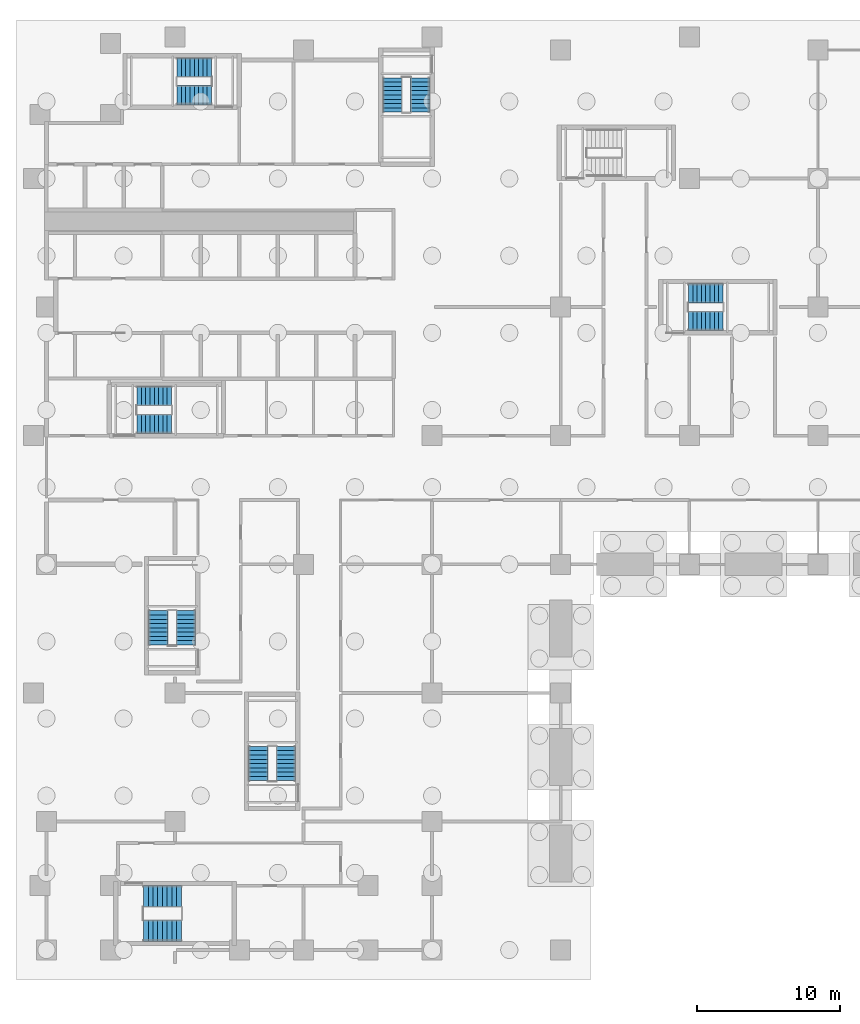
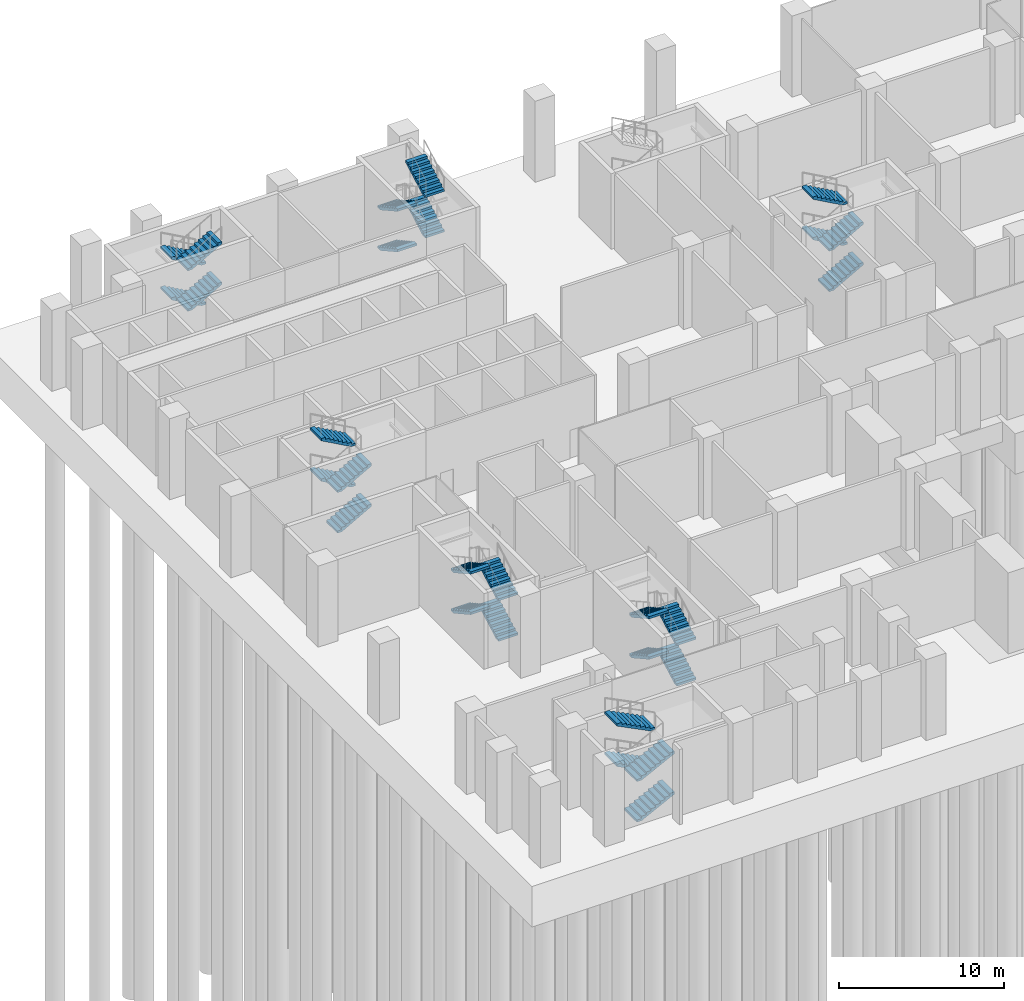
# One storey, part 8 of 12: 28 stair flights, 7 elements without a shape of their own.
"""IFC4 building model written with IfcOpenShell, lengths in metres."""

from ifc_helpers import new_model, si_unit, direction, frame, origin, place, context, subcontext, project, spatial, polyline, outline, extrude, material, type_object, element, aggregate, save


model = new_model("IFC4")

# Units and contexts
model_context = context("Model", 3, precision=1e-05, world=origin(), true_north=direction((0.0, 1.0)))
body_context = subcontext(model_context, "Body", "Model", "MODEL_VIEW")
ifc_project = project(units=[si_unit("LENGTHUNIT", "METRE"), si_unit("AREAUNIT", "SQUARE_METRE"), si_unit("VOLUMEUNIT", "CUBIC_METRE"), si_unit("PLANEANGLEUNIT", "RADIAN"), si_unit("MASSUNIT", "GRAM", prefix="KILO")], contexts=[model_context])

# Site, building, storey
site_placement = place(None, origin())
site = spatial("IfcSite", under=ifc_project, at=site_placement, CompositionType="ELEMENT")
building_placement = place(site_placement, origin())
building = spatial("IfcBuilding", under=site, at=building_placement, Name="Brondeck Convention Tower", CompositionType="ELEMENT")
storey_placement = place(building_placement, frame((0.0, 0.0, -6.0)))
storey = spatial("IfcBuildingStorey", under=building, at=storey_placement, Name="B1", CompositionType="ELEMENT", Elevation=-6.0)

# Stair, stair flights
ifc_material = material(Name="Precast concrete C50/60", Category="concrete")
stair_type_1 = type_object("IfcStairType", Name="Core stair 36 risers 166.67 mm riser 300 mm going 1350 wide", PredefinedType="HALF_TURN_STAIR", material=ifc_material)
stair_1_placement = place(storey_placement, origin())
stair_1 = element("IfcStair", 1, at=stair_1_placement, inside=storey, type_object=stair_type_1, Name="ST-1 B1 stair", PredefinedType="HALF_TURN_STAIR")
stair_flight_type_1 = type_object("IfcStairFlightType", Name="Core stair flight 36 risers 166.67 mm riser 300 mm going 1350 wide", PredefinedType="STRAIGHT", material=ifc_material)
stair_flight_1_placement = place(storey_placement, frame((6.35009765625, 36.824951171875, 0.0), z_axis=(0.0, 0.0, 1.0), x_axis=(1.0, 0.0, 0.0)))
stair_flight_1 = element("IfcStairFlight", 2, at=stair_flight_1_placement, type_object=stair_flight_type_1, Name="ST-1 flight 1", NumberOfRisers=9, NumberOfTreads=8, PredefinedType="STRAIGHT", RiserHeight=0.166666667, TreadLength=0.3, context=body_context, shape_type="SweptSolid", body=[
    extrude(outline(polyline([(0.0, 0.0), (0.0, 0.166748046875), (0.300048828125, 0.166748046875), (0.300048828125, 0.333251953125), (0.60009765625, 0.333251953125), (0.60009765625, 0.5), (0.89990234375, 0.5), (0.89990234375, 0.666748046875), (1.199951171875, 0.666748046875), (1.199951171875, 0.833251953125), (1.5, 0.833251953125), (1.5, 1.0), (1.800048828125, 1.0), (1.800048828125, 1.166748046875), (2.10009765625, 1.166748046875), (2.10009765625, 1.333251953125), (2.39990234375, 1.333251953125), (2.39990234375, 1.5), (2.39990234375, 1.161865234375), (0.30859375, 0.0), (0.0, 0.0)])), frame((0.0, 0.675048828125, 0.0), z_axis=(0.0, -1.0, 0.0), x_axis=(1.0, 0.0, 0.0)), (0.0, 0.0, 1.0), 1.35009765625),
])
stair_flight_2_placement = place(storey_placement, frame((8.75, 38.77490234375, 1.5), z_axis=(0.0, 0.0, 1.0), x_axis=(-1.0, 0.0, 0.0)))
stair_flight_2 = element("IfcStairFlight", 3, at=stair_flight_2_placement, type_object=stair_flight_type_1, Name="ST-1 flight 2", NumberOfRisers=9, NumberOfTreads=8, PredefinedType="STRAIGHT", RiserHeight=0.166666667, TreadLength=0.3, context=body_context, shape_type="SweptSolid", body=[
    extrude(outline(polyline([(0.0, 0.0), (0.0, 0.166748046875), (0.300048828125, 0.166748046875), (0.300048828125, 0.333251953125), (0.60009765625, 0.333251953125), (0.60009765625, 0.5), (0.89990234375, 0.5), (0.89990234375, 0.666748046875), (1.199951171875, 0.666748046875), (1.199951171875, 0.833251953125), (1.5, 0.833251953125), (1.5, 1.0), (1.800048828125, 1.0), (1.800048828125, 1.166748046875), (2.10009765625, 1.166748046875), (2.10009765625, 1.333251953125), (2.39990234375, 1.333251953125), (2.39990234375, 1.5), (2.39990234375, 1.161865234375), (0.30859375, 0.0), (0.0, 0.0)])), frame((0.0, 0.675048828125, 0.0), z_axis=(0.0, -1.0, 0.0), x_axis=(1.0, 0.0, 0.0)), (0.0, 0.0, 1.0), 1.35009765625),
])
stair_flight_3_placement = place(storey_placement, frame((6.35009765625, 36.824951171875, 3.0), z_axis=(0.0, 0.0, 1.0), x_axis=(1.0, 0.0, 0.0)))
stair_flight_3 = element("IfcStairFlight", 4, at=stair_flight_3_placement, type_object=stair_flight_type_1, Name="ST-1 flight 3", NumberOfRisers=9, NumberOfTreads=8, PredefinedType="STRAIGHT", RiserHeight=0.166666667, TreadLength=0.3, context=body_context, shape_type="SweptSolid", body=[
    extrude(outline(polyline([(0.0, 0.0), (0.0, 0.166748046875), (0.300048828125, 0.166748046875), (0.300048828125, 0.333251953125), (0.60009765625, 0.333251953125), (0.60009765625, 0.5), (0.89990234375, 0.5), (0.89990234375, 0.666748046875), (1.199951171875, 0.666748046875), (1.199951171875, 0.833251953125), (1.5, 0.833251953125), (1.5, 1.0), (1.800048828125, 1.0), (1.800048828125, 1.166748046875), (2.10009765625, 1.166748046875), (2.10009765625, 1.333251953125), (2.39990234375, 1.333251953125), (2.39990234375, 1.5), (2.39990234375, 1.161865234375), (0.30859375, 0.0), (0.0, 0.0)])), frame((0.0, 0.675048828125, 0.0), z_axis=(0.0, -1.0, 0.0), x_axis=(1.0, 0.0, 0.0)), (0.0, 0.0, 1.0), 1.35009765625),
])
stair_flight_4_placement = place(storey_placement, frame((8.75, 38.77490234375, 4.5), z_axis=(0.0, 0.0, 1.0), x_axis=(-1.0, 0.0, 0.0)))
stair_flight_4 = element("IfcStairFlight", 5, at=stair_flight_4_placement, type_object=stair_flight_type_1, Name="ST-1 flight 4", NumberOfRisers=9, NumberOfTreads=8, PredefinedType="STRAIGHT", RiserHeight=0.166666667, TreadLength=0.3, context=body_context, shape_type="SweptSolid", body=[
    extrude(outline(polyline([(0.0, 0.0), (0.0, 0.166748046875), (0.300048828125, 0.166748046875), (0.300048828125, 0.333251953125), (0.60009765625, 0.333251953125), (0.60009765625, 0.5), (0.89990234375, 0.5), (0.89990234375, 0.666748046875), (1.199951171875, 0.666748046875), (1.199951171875, 0.833251953125), (1.5, 0.833251953125), (1.5, 1.0), (1.800048828125, 1.0), (1.800048828125, 1.166748046875), (2.10009765625, 1.166748046875), (2.10009765625, 1.333251953125), (2.39990234375, 1.333251953125), (2.39990234375, 1.5), (2.39990234375, 1.161865234375), (0.30859375, 0.0), (0.0, 0.0)])), frame((0.0, 0.675048828125, 0.0), z_axis=(0.0, -1.0, 0.0), x_axis=(1.0, 0.0, 0.0)), (0.0, 0.0, 1.0), 1.35009765625),
])
aggregate(stair_1, [stair_flight_1, stair_flight_2, stair_flight_3, stair_flight_4])

stair_2_placement = place(storey_placement, origin())
stair_2 = element("IfcStair", 6, at=stair_2_placement, inside=storey, type_object=stair_type_1, Name="ST-2 B1 stair", PredefinedType="HALF_TURN_STAIR")
stair_flight_5_placement = place(storey_placement, frame((24.22509765625, 61.050048828125, 0.0), z_axis=(0.0, 0.0, 1.0), x_axis=(0.0, -1.0, 0.0)))
stair_flight_5 = element("IfcStairFlight", 7, at=stair_flight_5_placement, type_object=stair_flight_type_1, Name="ST-2 flight 1", NumberOfRisers=9, NumberOfTreads=8, PredefinedType="STRAIGHT", RiserHeight=0.166666667, TreadLength=0.3, context=body_context, shape_type="SweptSolid", body=[
    extrude(outline(polyline([(0.0, 0.0), (0.0, 0.166748046875), (0.300048828125, 0.166748046875), (0.300048828125, 0.333251953125), (0.60009765625, 0.333251953125), (0.60009765625, 0.5), (0.89990234375, 0.5), (0.89990234375, 0.666748046875), (1.199951171875, 0.666748046875), (1.199951171875, 0.833251953125), (1.5, 0.833251953125), (1.5, 1.0), (1.800048828125, 1.0), (1.800048828125, 1.166748046875), (2.10009765625, 1.166748046875), (2.10009765625, 1.333251953125), (2.39990234375, 1.333251953125), (2.39990234375, 1.5), (2.39990234375, 1.161865234375), (0.30859375, 0.0), (0.0, 0.0)])), frame((0.0, 0.675048828125, 0.0), z_axis=(0.0, -1.0, 0.0), x_axis=(1.0, 0.0, 0.0)), (0.0, 0.0, 1.0), 1.35009765625),
])
stair_flight_6_placement = place(storey_placement, frame((26.175048828125, 58.64990234375, 1.5), z_axis=(0.0, 0.0, 1.0), x_axis=(0.0, 1.0, 0.0)))
stair_flight_6 = element("IfcStairFlight", 8, at=stair_flight_6_placement, type_object=stair_flight_type_1, Name="ST-2 flight 2", NumberOfRisers=9, NumberOfTreads=8, PredefinedType="STRAIGHT", RiserHeight=0.166666667, TreadLength=0.3, context=body_context, shape_type="SweptSolid", body=[
    extrude(outline(polyline([(0.0, 0.0), (0.0, 0.166748046875), (0.300048828125, 0.166748046875), (0.300048828125, 0.333251953125), (0.60009765625, 0.333251953125), (0.60009765625, 0.5), (0.89990234375, 0.5), (0.89990234375, 0.666748046875), (1.199951171875, 0.666748046875), (1.199951171875, 0.833251953125), (1.5, 0.833251953125), (1.5, 1.0), (1.800048828125, 1.0), (1.800048828125, 1.166748046875), (2.10009765625, 1.166748046875), (2.10009765625, 1.333251953125), (2.39990234375, 1.333251953125), (2.39990234375, 1.5), (2.39990234375, 1.161865234375), (0.30859375, 0.0), (0.0, 0.0)])), frame((0.0, 0.675048828125, 0.0), z_axis=(0.0, -1.0, 0.0), x_axis=(1.0, 0.0, 0.0)), (0.0, 0.0, 1.0), 1.35009765625),
])
stair_flight_7_placement = place(storey_placement, frame((24.22509765625, 61.050048828125, 3.0), z_axis=(0.0, 0.0, 1.0), x_axis=(0.0, -1.0, 0.0)))
stair_flight_7 = element("IfcStairFlight", 9, at=stair_flight_7_placement, type_object=stair_flight_type_1, Name="ST-2 flight 3", NumberOfRisers=9, NumberOfTreads=8, PredefinedType="STRAIGHT", RiserHeight=0.166666667, TreadLength=0.3, context=body_context, shape_type="SweptSolid", body=[
    extrude(outline(polyline([(0.0, 0.0), (0.0, 0.166748046875), (0.300048828125, 0.166748046875), (0.300048828125, 0.333251953125), (0.60009765625, 0.333251953125), (0.60009765625, 0.5), (0.89990234375, 0.5), (0.89990234375, 0.666748046875), (1.199951171875, 0.666748046875), (1.199951171875, 0.833251953125), (1.5, 0.833251953125), (1.5, 1.0), (1.800048828125, 1.0), (1.800048828125, 1.166748046875), (2.10009765625, 1.166748046875), (2.10009765625, 1.333251953125), (2.39990234375, 1.333251953125), (2.39990234375, 1.5), (2.39990234375, 1.161865234375), (0.30859375, 0.0), (0.0, 0.0)])), frame((0.0, 0.675048828125, 0.0), z_axis=(0.0, -1.0, 0.0), x_axis=(1.0, 0.0, 0.0)), (0.0, 0.0, 1.0), 1.35009765625),
])
stair_flight_8_placement = place(storey_placement, frame((26.175048828125, 58.64990234375, 4.5), z_axis=(0.0, 0.0, 1.0), x_axis=(0.0, 1.0, 0.0)))
stair_flight_8 = element("IfcStairFlight", 10, at=stair_flight_8_placement, type_object=stair_flight_type_1, Name="ST-2 flight 4", NumberOfRisers=9, NumberOfTreads=8, PredefinedType="STRAIGHT", RiserHeight=0.166666667, TreadLength=0.3, context=body_context, shape_type="SweptSolid", body=[
    extrude(outline(polyline([(0.0, 0.0), (0.0, 0.166748046875), (0.300048828125, 0.166748046875), (0.300048828125, 0.333251953125), (0.60009765625, 0.333251953125), (0.60009765625, 0.5), (0.89990234375, 0.5), (0.89990234375, 0.666748046875), (1.199951171875, 0.666748046875), (1.199951171875, 0.833251953125), (1.5, 0.833251953125), (1.5, 1.0), (1.800048828125, 1.0), (1.800048828125, 1.166748046875), (2.10009765625, 1.166748046875), (2.10009765625, 1.333251953125), (2.39990234375, 1.333251953125), (2.39990234375, 1.5), (2.39990234375, 1.161865234375), (0.30859375, 0.0), (0.0, 0.0)])), frame((0.0, 0.675048828125, 0.0), z_axis=(0.0, -1.0, 0.0), x_axis=(1.0, 0.0, 0.0)), (0.0, 0.0, 1.0), 1.35009765625),
])
aggregate(stair_2, [stair_flight_5, stair_flight_6, stair_flight_7, stair_flight_8])

stair_3_placement = place(storey_placement, origin())
stair_3 = element("IfcStair", 11, at=stair_3_placement, inside=storey, type_object=stair_type_1, Name="ST-3 B1 stair", PredefinedType="HALF_TURN_STAIR")
stair_flight_9_placement = place(storey_placement, frame((11.550048828125, 61.77490234375, 0.0), z_axis=(0.0, 0.0, 1.0), x_axis=(-1.0, 0.0, 0.0)))
stair_flight_9 = element("IfcStairFlight", 12, at=stair_flight_9_placement, type_object=stair_flight_type_1, Name="ST-3 flight 1", NumberOfRisers=9, NumberOfTreads=8, PredefinedType="STRAIGHT", RiserHeight=0.166666667, TreadLength=0.3, context=body_context, shape_type="SweptSolid", body=[
    extrude(outline(polyline([(0.0, 0.0), (0.0, 0.166748046875), (0.300048828125, 0.166748046875), (0.300048828125, 0.333251953125), (0.60009765625, 0.333251953125), (0.60009765625, 0.5), (0.89990234375, 0.5), (0.89990234375, 0.666748046875), (1.199951171875, 0.666748046875), (1.199951171875, 0.833251953125), (1.5, 0.833251953125), (1.5, 1.0), (1.800048828125, 1.0), (1.800048828125, 1.166748046875), (2.10009765625, 1.166748046875), (2.10009765625, 1.333251953125), (2.39990234375, 1.333251953125), (2.39990234375, 1.5), (2.39990234375, 1.161865234375), (0.30859375, 0.0), (0.0, 0.0)])), frame((0.0, 0.675048828125, 0.0), z_axis=(0.0, -1.0, 0.0), x_axis=(1.0, 0.0, 0.0)), (0.0, 0.0, 1.0), 1.35009765625),
])
stair_flight_10_placement = place(storey_placement, frame((9.14990234375, 59.824951171875, 1.5), z_axis=(0.0, 0.0, 1.0), x_axis=(1.0, 0.0, 0.0)))
stair_flight_10 = element("IfcStairFlight", 13, at=stair_flight_10_placement, type_object=stair_flight_type_1, Name="ST-3 flight 2", NumberOfRisers=9, NumberOfTreads=8, PredefinedType="STRAIGHT", RiserHeight=0.166666667, TreadLength=0.3, context=body_context, shape_type="SweptSolid", body=[
    extrude(outline(polyline([(0.0, 0.0), (0.0, 0.166748046875), (0.300048828125, 0.166748046875), (0.300048828125, 0.333251953125), (0.60009765625, 0.333251953125), (0.60009765625, 0.5), (0.89990234375, 0.5), (0.89990234375, 0.666748046875), (1.199951171875, 0.666748046875), (1.199951171875, 0.833251953125), (1.5, 0.833251953125), (1.5, 1.0), (1.800048828125, 1.0), (1.800048828125, 1.166748046875), (2.10009765625, 1.166748046875), (2.10009765625, 1.333251953125), (2.39990234375, 1.333251953125), (2.39990234375, 1.5), (2.39990234375, 1.161865234375), (0.30859375, 0.0), (0.0, 0.0)])), frame((0.0, 0.675048828125, 0.0), z_axis=(0.0, -1.0, 0.0), x_axis=(1.0, 0.0, 0.0)), (0.0, 0.0, 1.0), 1.35009765625),
])
stair_flight_11_placement = place(storey_placement, frame((11.550048828125, 61.77490234375, 3.0), z_axis=(0.0, 0.0, 1.0), x_axis=(-1.0, 0.0, 0.0)))
stair_flight_11 = element("IfcStairFlight", 14, at=stair_flight_11_placement, type_object=stair_flight_type_1, Name="ST-3 flight 3", NumberOfRisers=9, NumberOfTreads=8, PredefinedType="STRAIGHT", RiserHeight=0.166666667, TreadLength=0.3, context=body_context, shape_type="SweptSolid", body=[
    extrude(outline(polyline([(0.0, 0.0), (0.0, 0.166748046875), (0.300048828125, 0.166748046875), (0.300048828125, 0.333251953125), (0.60009765625, 0.333251953125), (0.60009765625, 0.5), (0.89990234375, 0.5), (0.89990234375, 0.666748046875), (1.199951171875, 0.666748046875), (1.199951171875, 0.833251953125), (1.5, 0.833251953125), (1.5, 1.0), (1.800048828125, 1.0), (1.800048828125, 1.166748046875), (2.10009765625, 1.166748046875), (2.10009765625, 1.333251953125), (2.39990234375, 1.333251953125), (2.39990234375, 1.5), (2.39990234375, 1.161865234375), (0.30859375, 0.0), (0.0, 0.0)])), frame((0.0, 0.675048828125, 0.0), z_axis=(0.0, -1.0, 0.0), x_axis=(1.0, 0.0, 0.0)), (0.0, 0.0, 1.0), 1.35009765625),
])
stair_flight_12_placement = place(storey_placement, frame((9.14990234375, 59.824951171875, 4.5), z_axis=(0.0, 0.0, 1.0), x_axis=(1.0, 0.0, 0.0)))
stair_flight_12 = element("IfcStairFlight", 15, at=stair_flight_12_placement, type_object=stair_flight_type_1, Name="ST-3 flight 4", NumberOfRisers=9, NumberOfTreads=8, PredefinedType="STRAIGHT", RiserHeight=0.166666667, TreadLength=0.3, context=body_context, shape_type="SweptSolid", body=[
    extrude(outline(polyline([(0.0, 0.0), (0.0, 0.166748046875), (0.300048828125, 0.166748046875), (0.300048828125, 0.333251953125), (0.60009765625, 0.333251953125), (0.60009765625, 0.5), (0.89990234375, 0.5), (0.89990234375, 0.666748046875), (1.199951171875, 0.666748046875), (1.199951171875, 0.833251953125), (1.5, 0.833251953125), (1.5, 1.0), (1.800048828125, 1.0), (1.800048828125, 1.166748046875), (2.10009765625, 1.166748046875), (2.10009765625, 1.333251953125), (2.39990234375, 1.333251953125), (2.39990234375, 1.5), (2.39990234375, 1.161865234375), (0.30859375, 0.0), (0.0, 0.0)])), frame((0.0, 0.675048828125, 0.0), z_axis=(0.0, -1.0, 0.0), x_axis=(1.0, 0.0, 0.0)), (0.0, 0.0, 1.0), 1.35009765625),
])
aggregate(stair_3, [stair_flight_9, stair_flight_10, stair_flight_11, stair_flight_12])

stair_4_placement = place(storey_placement, origin())
stair_4 = element("IfcStair", 16, at=stair_4_placement, inside=storey, type_object=stair_type_1, Name="ST-BE B1 stair", PredefinedType="HALF_TURN_STAIR")
stair_flight_13_placement = place(storey_placement, frame((9.77490234375, 21.35009765625, 0.0), z_axis=(0.0, 0.0, 1.0), x_axis=(0.0, 1.0, 0.0)))
stair_flight_13 = element("IfcStairFlight", 17, at=stair_flight_13_placement, type_object=stair_flight_type_1, Name="ST-BE flight 1", NumberOfRisers=9, NumberOfTreads=8, PredefinedType="STRAIGHT", RiserHeight=0.166666667, TreadLength=0.3, context=body_context, shape_type="SweptSolid", body=[
    extrude(outline(polyline([(0.0, 0.0), (0.0, 0.166748046875), (0.300048828125, 0.166748046875), (0.300048828125, 0.333251953125), (0.60009765625, 0.333251953125), (0.60009765625, 0.5), (0.89990234375, 0.5), (0.89990234375, 0.666748046875), (1.199951171875, 0.666748046875), (1.199951171875, 0.833251953125), (1.5, 0.833251953125), (1.5, 1.0), (1.800048828125, 1.0), (1.800048828125, 1.166748046875), (2.10009765625, 1.166748046875), (2.10009765625, 1.333251953125), (2.39990234375, 1.333251953125), (2.39990234375, 1.5), (2.39990234375, 1.161865234375), (0.30859375, 0.0), (0.0, 0.0)])), frame((0.0, 0.675048828125, 0.0), z_axis=(0.0, -1.0, 0.0), x_axis=(1.0, 0.0, 0.0)), (0.0, 0.0, 1.0), 1.35009765625),
])
stair_flight_14_placement = place(storey_placement, frame((7.824951171875, 23.75, 1.5), z_axis=(0.0, 0.0, 1.0), x_axis=(0.0, -1.0, 0.0)))
stair_flight_14 = element("IfcStairFlight", 18, at=stair_flight_14_placement, type_object=stair_flight_type_1, Name="ST-BE flight 2", NumberOfRisers=9, NumberOfTreads=8, PredefinedType="STRAIGHT", RiserHeight=0.166666667, TreadLength=0.3, context=body_context, shape_type="SweptSolid", body=[
    extrude(outline(polyline([(0.0, 0.0), (0.0, 0.166748046875), (0.300048828125, 0.166748046875), (0.300048828125, 0.333251953125), (0.60009765625, 0.333251953125), (0.60009765625, 0.5), (0.89990234375, 0.5), (0.89990234375, 0.666748046875), (1.199951171875, 0.666748046875), (1.199951171875, 0.833251953125), (1.5, 0.833251953125), (1.5, 1.0), (1.800048828125, 1.0), (1.800048828125, 1.166748046875), (2.10009765625, 1.166748046875), (2.10009765625, 1.333251953125), (2.39990234375, 1.333251953125), (2.39990234375, 1.5), (2.39990234375, 1.161865234375), (0.30859375, 0.0), (0.0, 0.0)])), frame((0.0, 0.675048828125, 0.0), z_axis=(0.0, -1.0, 0.0), x_axis=(1.0, 0.0, 0.0)), (0.0, 0.0, 1.0), 1.35009765625),
])
stair_flight_15_placement = place(storey_placement, frame((9.77490234375, 21.35009765625, 3.0), z_axis=(0.0, 0.0, 1.0), x_axis=(0.0, 1.0, 0.0)))
stair_flight_15 = element("IfcStairFlight", 19, at=stair_flight_15_placement, type_object=stair_flight_type_1, Name="ST-BE flight 3", NumberOfRisers=9, NumberOfTreads=8, PredefinedType="STRAIGHT", RiserHeight=0.166666667, TreadLength=0.3, context=body_context, shape_type="SweptSolid", body=[
    extrude(outline(polyline([(0.0, 0.0), (0.0, 0.166748046875), (0.300048828125, 0.166748046875), (0.300048828125, 0.333251953125), (0.60009765625, 0.333251953125), (0.60009765625, 0.5), (0.89990234375, 0.5), (0.89990234375, 0.666748046875), (1.199951171875, 0.666748046875), (1.199951171875, 0.833251953125), (1.5, 0.833251953125), (1.5, 1.0), (1.800048828125, 1.0), (1.800048828125, 1.166748046875), (2.10009765625, 1.166748046875), (2.10009765625, 1.333251953125), (2.39990234375, 1.333251953125), (2.39990234375, 1.5), (2.39990234375, 1.161865234375), (0.30859375, 0.0), (0.0, 0.0)])), frame((0.0, 0.675048828125, 0.0), z_axis=(0.0, -1.0, 0.0), x_axis=(1.0, 0.0, 0.0)), (0.0, 0.0, 1.0), 1.35009765625),
])
stair_flight_16_placement = place(storey_placement, frame((7.824951171875, 23.75, 4.5), z_axis=(0.0, 0.0, 1.0), x_axis=(0.0, -1.0, 0.0)))
stair_flight_16 = element("IfcStairFlight", 20, at=stair_flight_16_placement, type_object=stair_flight_type_1, Name="ST-BE flight 4", NumberOfRisers=9, NumberOfTreads=8, PredefinedType="STRAIGHT", RiserHeight=0.166666667, TreadLength=0.3, context=body_context, shape_type="SweptSolid", body=[
    extrude(outline(polyline([(0.0, 0.0), (0.0, 0.166748046875), (0.300048828125, 0.166748046875), (0.300048828125, 0.333251953125), (0.60009765625, 0.333251953125), (0.60009765625, 0.5), (0.89990234375, 0.5), (0.89990234375, 0.666748046875), (1.199951171875, 0.666748046875), (1.199951171875, 0.833251953125), (1.5, 0.833251953125), (1.5, 1.0), (1.800048828125, 1.0), (1.800048828125, 1.166748046875), (2.10009765625, 1.166748046875), (2.10009765625, 1.333251953125), (2.39990234375, 1.333251953125), (2.39990234375, 1.5), (2.39990234375, 1.161865234375), (0.30859375, 0.0), (0.0, 0.0)])), frame((0.0, 0.675048828125, 0.0), z_axis=(0.0, -1.0, 0.0), x_axis=(1.0, 0.0, 0.0)), (0.0, 0.0, 1.0), 1.35009765625),
])
aggregate(stair_4, [stair_flight_13, stair_flight_14, stair_flight_15, stair_flight_16])

stair_5_placement = place(storey_placement, origin())
stair_5 = element("IfcStair", 21, at=stair_5_placement, inside=storey, type_object=stair_type_1, Name="ST-AF B1 stair", PredefinedType="HALF_TURN_STAIR")
stair_flight_17_placement = place(storey_placement, frame((44.949951171875, 44.02490234375, 0.0), z_axis=(0.0, 0.0, 1.0), x_axis=(1.0, 0.0, 0.0)))
stair_flight_17 = element("IfcStairFlight", 22, at=stair_flight_17_placement, type_object=stair_flight_type_1, Name="ST-AF flight 1", NumberOfRisers=9, NumberOfTreads=8, PredefinedType="STRAIGHT", RiserHeight=0.166666667, TreadLength=0.3, context=body_context, shape_type="SweptSolid", body=[
    extrude(outline(polyline([(0.0, 0.0), (0.0, 0.166748046875), (0.300048828125, 0.166748046875), (0.300048828125, 0.333251953125), (0.60009765625, 0.333251953125), (0.60009765625, 0.5), (0.89990234375, 0.5), (0.89990234375, 0.666748046875), (1.199951171875, 0.666748046875), (1.199951171875, 0.833251953125), (1.5, 0.833251953125), (1.5, 1.0), (1.800048828125, 1.0), (1.800048828125, 1.166748046875), (2.10009765625, 1.166748046875), (2.10009765625, 1.333251953125), (2.39990234375, 1.333251953125), (2.39990234375, 1.5), (2.39990234375, 1.161865234375), (0.30859375, 0.0), (0.0, 0.0)])), frame((0.0, 0.675048828125, 0.0), z_axis=(0.0, -1.0, 0.0), x_axis=(1.0, 0.0, 0.0)), (0.0, 0.0, 1.0), 1.35009765625),
])
stair_flight_18_placement = place(storey_placement, frame((47.35009765625, 45.97509765625, 1.5), z_axis=(0.0, 0.0, 1.0), x_axis=(-1.0, 0.0, 0.0)))
stair_flight_18 = element("IfcStairFlight", 23, at=stair_flight_18_placement, type_object=stair_flight_type_1, Name="ST-AF flight 2", NumberOfRisers=9, NumberOfTreads=8, PredefinedType="STRAIGHT", RiserHeight=0.166666667, TreadLength=0.3, context=body_context, shape_type="SweptSolid", body=[
    extrude(outline(polyline([(0.0, 0.0), (0.0, 0.166748046875), (0.300048828125, 0.166748046875), (0.300048828125, 0.333251953125), (0.60009765625, 0.333251953125), (0.60009765625, 0.5), (0.89990234375, 0.5), (0.89990234375, 0.666748046875), (1.199951171875, 0.666748046875), (1.199951171875, 0.833251953125), (1.5, 0.833251953125), (1.5, 1.0), (1.800048828125, 1.0), (1.800048828125, 1.166748046875), (2.10009765625, 1.166748046875), (2.10009765625, 1.333251953125), (2.39990234375, 1.333251953125), (2.39990234375, 1.5), (2.39990234375, 1.161865234375), (0.30859375, 0.0), (0.0, 0.0)])), frame((0.0, 0.675048828125, 0.0), z_axis=(0.0, -1.0, 0.0), x_axis=(1.0, 0.0, 0.0)), (0.0, 0.0, 1.0), 1.35009765625),
])
stair_flight_19_placement = place(storey_placement, frame((44.949951171875, 44.02490234375, 3.0), z_axis=(0.0, 0.0, 1.0), x_axis=(1.0, 0.0, 0.0)))
stair_flight_19 = element("IfcStairFlight", 24, at=stair_flight_19_placement, type_object=stair_flight_type_1, Name="ST-AF flight 3", NumberOfRisers=9, NumberOfTreads=8, PredefinedType="STRAIGHT", RiserHeight=0.166666667, TreadLength=0.3, context=body_context, shape_type="SweptSolid", body=[
    extrude(outline(polyline([(0.0, 0.0), (0.0, 0.166748046875), (0.300048828125, 0.166748046875), (0.300048828125, 0.333251953125), (0.60009765625, 0.333251953125), (0.60009765625, 0.5), (0.89990234375, 0.5), (0.89990234375, 0.666748046875), (1.199951171875, 0.666748046875), (1.199951171875, 0.833251953125), (1.5, 0.833251953125), (1.5, 1.0), (1.800048828125, 1.0), (1.800048828125, 1.166748046875), (2.10009765625, 1.166748046875), (2.10009765625, 1.333251953125), (2.39990234375, 1.333251953125), (2.39990234375, 1.5), (2.39990234375, 1.161865234375), (0.30859375, 0.0), (0.0, 0.0)])), frame((0.0, 0.675048828125, 0.0), z_axis=(0.0, -1.0, 0.0), x_axis=(1.0, 0.0, 0.0)), (0.0, 0.0, 1.0), 1.35009765625),
])
stair_flight_20_placement = place(storey_placement, frame((47.35009765625, 45.97509765625, 4.5), z_axis=(0.0, 0.0, 1.0), x_axis=(-1.0, 0.0, 0.0)))
stair_flight_20 = element("IfcStairFlight", 25, at=stair_flight_20_placement, type_object=stair_flight_type_1, Name="ST-AF flight 4", NumberOfRisers=9, NumberOfTreads=8, PredefinedType="STRAIGHT", RiserHeight=0.166666667, TreadLength=0.3, context=body_context, shape_type="SweptSolid", body=[
    extrude(outline(polyline([(0.0, 0.0), (0.0, 0.166748046875), (0.300048828125, 0.166748046875), (0.300048828125, 0.333251953125), (0.60009765625, 0.333251953125), (0.60009765625, 0.5), (0.89990234375, 0.5), (0.89990234375, 0.666748046875), (1.199951171875, 0.666748046875), (1.199951171875, 0.833251953125), (1.5, 0.833251953125), (1.5, 1.0), (1.800048828125, 1.0), (1.800048828125, 1.166748046875), (2.10009765625, 1.166748046875), (2.10009765625, 1.333251953125), (2.39990234375, 1.333251953125), (2.39990234375, 1.5), (2.39990234375, 1.161865234375), (0.30859375, 0.0), (0.0, 0.0)])), frame((0.0, 0.675048828125, 0.0), z_axis=(0.0, -1.0, 0.0), x_axis=(1.0, 0.0, 0.0)), (0.0, 0.0, 1.0), 1.35009765625),
])
aggregate(stair_5, [stair_flight_17, stair_flight_18, stair_flight_19, stair_flight_20])

stair_6_placement = place(storey_placement, origin())
stair_6 = element("IfcStair", 26, at=stair_6_placement, inside=storey, type_object=stair_type_1, Name="ST-BF B1 stair", PredefinedType="HALF_TURN_STAIR")
stair_flight_21_placement = place(storey_placement, frame((16.77490234375, 11.85009765625, 0.0), z_axis=(0.0, 0.0, 1.0), x_axis=(0.0, 1.0, 0.0)))
stair_flight_21 = element("IfcStairFlight", 27, at=stair_flight_21_placement, type_object=stair_flight_type_1, Name="ST-BF flight 1", NumberOfRisers=9, NumberOfTreads=8, PredefinedType="STRAIGHT", RiserHeight=0.166666667, TreadLength=0.3, context=body_context, shape_type="SweptSolid", body=[
    extrude(outline(polyline([(0.0, 0.0), (0.0, 0.166748046875), (0.300048828125, 0.166748046875), (0.300048828125, 0.333251953125), (0.60009765625, 0.333251953125), (0.60009765625, 0.5), (0.89990234375, 0.5), (0.89990234375, 0.666748046875), (1.199951171875, 0.666748046875), (1.199951171875, 0.833251953125), (1.5, 0.833251953125), (1.5, 1.0), (1.800048828125, 1.0), (1.800048828125, 1.166748046875), (2.10009765625, 1.166748046875), (2.10009765625, 1.333251953125), (2.39990234375, 1.333251953125), (2.39990234375, 1.5), (2.39990234375, 1.161865234375), (0.30859375, 0.0), (0.0, 0.0)])), frame((0.0, 0.675048828125, 0.0), z_axis=(0.0, -1.0, 0.0), x_axis=(1.0, 0.0, 0.0)), (0.0, 0.0, 1.0), 1.35009765625),
])
stair_flight_22_placement = place(storey_placement, frame((14.824951171875, 14.25, 1.5), z_axis=(0.0, 0.0, 1.0), x_axis=(0.0, -1.0, 0.0)))
stair_flight_22 = element("IfcStairFlight", 28, at=stair_flight_22_placement, type_object=stair_flight_type_1, Name="ST-BF flight 2", NumberOfRisers=9, NumberOfTreads=8, PredefinedType="STRAIGHT", RiserHeight=0.166666667, TreadLength=0.3, context=body_context, shape_type="SweptSolid", body=[
    extrude(outline(polyline([(0.0, 0.0), (0.0, 0.166748046875), (0.300048828125, 0.166748046875), (0.300048828125, 0.333251953125), (0.60009765625, 0.333251953125), (0.60009765625, 0.5), (0.89990234375, 0.5), (0.89990234375, 0.666748046875), (1.199951171875, 0.666748046875), (1.199951171875, 0.833251953125), (1.5, 0.833251953125), (1.5, 1.0), (1.800048828125, 1.0), (1.800048828125, 1.166748046875), (2.10009765625, 1.166748046875), (2.10009765625, 1.333251953125), (2.39990234375, 1.333251953125), (2.39990234375, 1.5), (2.39990234375, 1.161865234375), (0.30859375, 0.0), (0.0, 0.0)])), frame((0.0, 0.675048828125, 0.0), z_axis=(0.0, -1.0, 0.0), x_axis=(1.0, 0.0, 0.0)), (0.0, 0.0, 1.0), 1.35009765625),
])
stair_flight_23_placement = place(storey_placement, frame((16.77490234375, 11.85009765625, 3.0), z_axis=(0.0, 0.0, 1.0), x_axis=(0.0, 1.0, 0.0)))
stair_flight_23 = element("IfcStairFlight", 29, at=stair_flight_23_placement, type_object=stair_flight_type_1, Name="ST-BF flight 3", NumberOfRisers=9, NumberOfTreads=8, PredefinedType="STRAIGHT", RiserHeight=0.166666667, TreadLength=0.3, context=body_context, shape_type="SweptSolid", body=[
    extrude(outline(polyline([(0.0, 0.0), (0.0, 0.166748046875), (0.300048828125, 0.166748046875), (0.300048828125, 0.333251953125), (0.60009765625, 0.333251953125), (0.60009765625, 0.5), (0.89990234375, 0.5), (0.89990234375, 0.666748046875), (1.199951171875, 0.666748046875), (1.199951171875, 0.833251953125), (1.5, 0.833251953125), (1.5, 1.0), (1.800048828125, 1.0), (1.800048828125, 1.166748046875), (2.10009765625, 1.166748046875), (2.10009765625, 1.333251953125), (2.39990234375, 1.333251953125), (2.39990234375, 1.5), (2.39990234375, 1.161865234375), (0.30859375, 0.0), (0.0, 0.0)])), frame((0.0, 0.675048828125, 0.0), z_axis=(0.0, -1.0, 0.0), x_axis=(1.0, 0.0, 0.0)), (0.0, 0.0, 1.0), 1.35009765625),
])
stair_flight_24_placement = place(storey_placement, frame((14.824951171875, 14.25, 4.5), z_axis=(0.0, 0.0, 1.0), x_axis=(0.0, -1.0, 0.0)))
stair_flight_24 = element("IfcStairFlight", 30, at=stair_flight_24_placement, type_object=stair_flight_type_1, Name="ST-BF flight 4", NumberOfRisers=9, NumberOfTreads=8, PredefinedType="STRAIGHT", RiserHeight=0.166666667, TreadLength=0.3, context=body_context, shape_type="SweptSolid", body=[
    extrude(outline(polyline([(0.0, 0.0), (0.0, 0.166748046875), (0.300048828125, 0.166748046875), (0.300048828125, 0.333251953125), (0.60009765625, 0.333251953125), (0.60009765625, 0.5), (0.89990234375, 0.5), (0.89990234375, 0.666748046875), (1.199951171875, 0.666748046875), (1.199951171875, 0.833251953125), (1.5, 0.833251953125), (1.5, 1.0), (1.800048828125, 1.0), (1.800048828125, 1.166748046875), (2.10009765625, 1.166748046875), (2.10009765625, 1.333251953125), (2.39990234375, 1.333251953125), (2.39990234375, 1.5), (2.39990234375, 1.161865234375), (0.30859375, 0.0), (0.0, 0.0)])), frame((0.0, 0.675048828125, 0.0), z_axis=(0.0, -1.0, 0.0), x_axis=(1.0, 0.0, 0.0)), (0.0, 0.0, 1.0), 1.35009765625),
])
aggregate(stair_6, [stair_flight_21, stair_flight_22, stair_flight_23, stair_flight_24])

stair_type_2 = type_object("IfcStairType", Name="Core stair 36 risers 166.67 mm riser 330 mm going 1500 wide", PredefinedType="HALF_TURN_STAIR", material=ifc_material)
stair_7_placement = place(storey_placement, origin())
stair_7 = element("IfcStair", 31, at=stair_7_placement, inside=storey, type_object=stair_type_2, Name="PS-2 B1 stair", PredefinedType="HALF_TURN_STAIR")
stair_flight_type_2 = type_object("IfcStairFlightType", Name="Core stair flight 36 risers 166.67 mm riser 330 mm going 1500 wide", PredefinedType="STRAIGHT", material=ifc_material)
stair_flight_25_placement = place(storey_placement, frame((6.800048828125, 1.35009765625, 0.0), z_axis=(0.0, 0.0, 1.0), x_axis=(1.0, 0.0, 0.0)))
stair_flight_25 = element("IfcStairFlight", 32, at=stair_flight_25_placement, type_object=stair_flight_type_2, Name="PS-2 flight 1", NumberOfRisers=9, NumberOfTreads=8, PredefinedType="STRAIGHT", RiserHeight=0.166666667, TreadLength=0.33, context=body_context, shape_type="SweptSolid", body=[
    extrude(outline(polyline([(0.0, 0.0), (0.0, 0.166748046875), (0.330078125, 0.166748046875), (0.330078125, 0.333251953125), (0.659912109375, 0.333251953125), (0.659912109375, 0.5), (0.989990234375, 0.5), (0.989990234375, 0.666748046875), (1.320068359375, 0.666748046875), (1.320068359375, 0.833251953125), (1.64990234375, 0.833251953125), (1.64990234375, 1.0), (1.97998046875, 1.0), (1.97998046875, 1.166748046875), (2.31005859375, 1.166748046875), (2.31005859375, 1.333251953125), (2.639892578125, 1.333251953125), (2.639892578125, 1.5), (2.639892578125, 1.165283203125), (0.33251953125, 0.0), (0.0, 0.0)])), frame((0.0, 0.75, 0.0), z_axis=(0.0, -1.0, 0.0), x_axis=(1.0, 0.0, 0.0)), (0.0, 0.0, 1.0), 1.5),
])
stair_flight_26_placement = place(storey_placement, frame((9.43994140625, 3.75, 1.5), z_axis=(0.0, 0.0, 1.0), x_axis=(-1.0, 0.0, 0.0)))
stair_flight_26 = element("IfcStairFlight", 33, at=stair_flight_26_placement, type_object=stair_flight_type_2, Name="PS-2 flight 2", NumberOfRisers=9, NumberOfTreads=8, PredefinedType="STRAIGHT", RiserHeight=0.166666667, TreadLength=0.33, context=body_context, shape_type="SweptSolid", body=[
    extrude(outline(polyline([(0.0, 0.0), (0.0, 0.166748046875), (0.330078125, 0.166748046875), (0.330078125, 0.333251953125), (0.659912109375, 0.333251953125), (0.659912109375, 0.5), (0.989990234375, 0.5), (0.989990234375, 0.666748046875), (1.320068359375, 0.666748046875), (1.320068359375, 0.833251953125), (1.64990234375, 0.833251953125), (1.64990234375, 1.0), (1.97998046875, 1.0), (1.97998046875, 1.166748046875), (2.31005859375, 1.166748046875), (2.31005859375, 1.333251953125), (2.639892578125, 1.333251953125), (2.639892578125, 1.5), (2.639892578125, 1.165283203125), (0.33251953125, 0.0), (0.0, 0.0)])), frame((0.0, 0.75, 0.0), z_axis=(0.0, -1.0, 0.0), x_axis=(1.0, 0.0, 0.0)), (0.0, 0.0, 1.0), 1.5),
])
stair_flight_27_placement = place(storey_placement, frame((6.800048828125, 1.35009765625, 3.0), z_axis=(0.0, 0.0, 1.0), x_axis=(1.0, 0.0, 0.0)))
stair_flight_27 = element("IfcStairFlight", 34, at=stair_flight_27_placement, type_object=stair_flight_type_2, Name="PS-2 flight 3", NumberOfRisers=9, NumberOfTreads=8, PredefinedType="STRAIGHT", RiserHeight=0.166666667, TreadLength=0.33, context=body_context, shape_type="SweptSolid", body=[
    extrude(outline(polyline([(0.0, 0.0), (0.0, 0.166748046875), (0.330078125, 0.166748046875), (0.330078125, 0.333251953125), (0.659912109375, 0.333251953125), (0.659912109375, 0.5), (0.989990234375, 0.5), (0.989990234375, 0.666748046875), (1.320068359375, 0.666748046875), (1.320068359375, 0.833251953125), (1.64990234375, 0.833251953125), (1.64990234375, 1.0), (1.97998046875, 1.0), (1.97998046875, 1.166748046875), (2.31005859375, 1.166748046875), (2.31005859375, 1.333251953125), (2.639892578125, 1.333251953125), (2.639892578125, 1.5), (2.639892578125, 1.165283203125), (0.33251953125, 0.0), (0.0, 0.0)])), frame((0.0, 0.75, 0.0), z_axis=(0.0, -1.0, 0.0), x_axis=(1.0, 0.0, 0.0)), (0.0, 0.0, 1.0), 1.5),
])
stair_flight_28_placement = place(storey_placement, frame((9.43994140625, 3.75, 4.5), z_axis=(0.0, 0.0, 1.0), x_axis=(-1.0, 0.0, 0.0)))
stair_flight_28 = element("IfcStairFlight", 35, at=stair_flight_28_placement, type_object=stair_flight_type_2, Name="PS-2 flight 4", NumberOfRisers=9, NumberOfTreads=8, PredefinedType="STRAIGHT", RiserHeight=0.166666667, TreadLength=0.33, context=body_context, shape_type="SweptSolid", body=[
    extrude(outline(polyline([(0.0, 0.0), (0.0, 0.166748046875), (0.330078125, 0.166748046875), (0.330078125, 0.333251953125), (0.659912109375, 0.333251953125), (0.659912109375, 0.5), (0.989990234375, 0.5), (0.989990234375, 0.666748046875), (1.320068359375, 0.666748046875), (1.320068359375, 0.833251953125), (1.64990234375, 0.833251953125), (1.64990234375, 1.0), (1.97998046875, 1.0), (1.97998046875, 1.166748046875), (2.31005859375, 1.166748046875), (2.31005859375, 1.333251953125), (2.639892578125, 1.333251953125), (2.639892578125, 1.5), (2.639892578125, 1.165283203125), (0.33251953125, 0.0), (0.0, 0.0)])), frame((0.0, 0.75, 0.0), z_axis=(0.0, -1.0, 0.0), x_axis=(1.0, 0.0, 0.0)), (0.0, 0.0, 1.0), 1.5),
])
aggregate(stair_7, [stair_flight_25, stair_flight_26, stair_flight_27, stair_flight_28])

save(model, "model.ifc")
